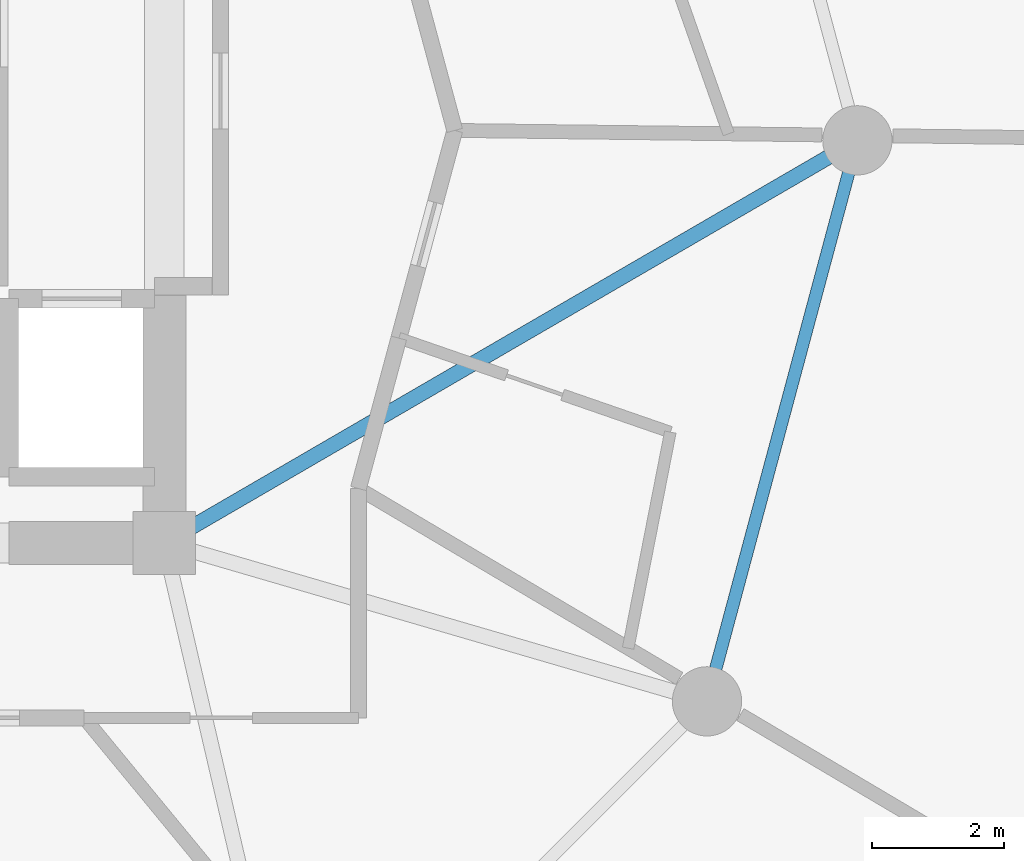
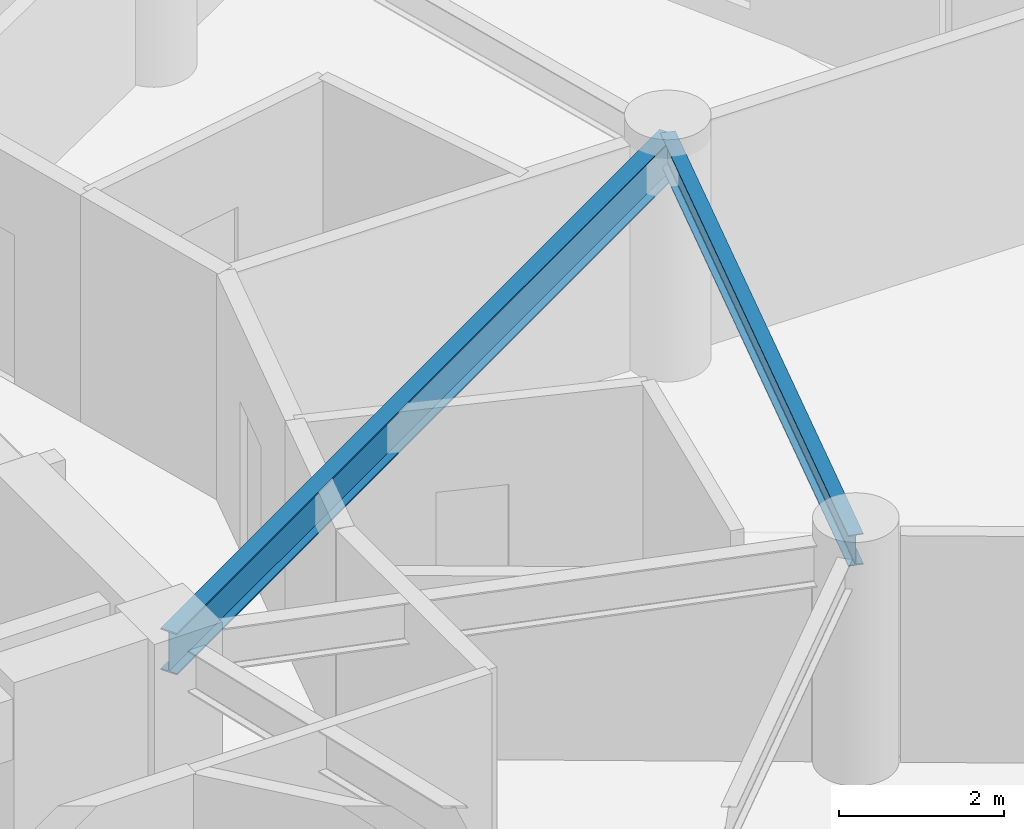
# One storey, part 7 of 20: 2 beams.
"""IFC4 building model written with IfcOpenShell, lengths in metres."""

from ifc_helpers import new_model, si_unit, direction, frame, origin, origin_2d, place, context, subcontext, project, spatial, i_section, extrude, material, material_profile, profile_set, type_object, element, save


model = new_model("IFC4")

# Units and contexts
model_context = context("Model", 3, precision=1e-05, world=origin(), true_north=direction((0.0, 1.0)))
body_context = subcontext(model_context, "Body", "Model", "MODEL_VIEW")
ifc_project = project(units=[si_unit("LENGTHUNIT", "METRE"), si_unit("AREAUNIT", "SQUARE_METRE"), si_unit("VOLUMEUNIT", "CUBIC_METRE"), si_unit("PLANEANGLEUNIT", "RADIAN"), si_unit("MASSUNIT", "GRAM", prefix="KILO")], contexts=[model_context])

# Site, building, storey
site_placement = place(None, origin())
site = spatial("IfcSite", under=ifc_project, at=site_placement, CompositionType="ELEMENT")
building_placement = place(site_placement, origin())
building = spatial("IfcBuilding", under=site, at=building_placement, Name="Solvirekh Grand Hotel", CompositionType="ELEMENT")
storey_placement = place(building_placement, frame((0.0, 0.0, 135.0)))
storey = spatial("IfcBuildingStorey", under=building, at=storey_placement, Name="L34", CompositionType="ELEMENT", Elevation=135.0)

# Beams
ifc_material = material(Name="Steel S355", Category="steel")
ifc_material_profile_1 = material_profile(ifc_material, i_section(OverallWidth=0.22802734375, OverallDepth=0.616943359375, WebThickness=0.012939453125, FlangeThickness=0.02001953125, FilletRadius=0.014892578125, at=origin_2d()), Name="W610X140")
ifc_profile_set_1 = profile_set([ifc_material_profile_1], Name="Steel S355")
beam_type_1 = type_object("IfcBeamType", Name="Beam_Radial_W610", PredefinedType="BEAM", material=ifc_profile_set_1)
beam_1_placement = place(storey_placement, frame((6.5, -6.10009765625, 3.041015625), z_axis=(0.864670076815, 0.50234018181, 0.0), x_axis=(-0.50234018181, 0.864670076815, 0.0)))
element("IfcBeam", 1, at=beam_1_placement, inside=storey, type_object=beam_type_1, Name="L34 radial floor beam R01", PredefinedType="BEAM", context=body_context, shape_type="SweptSolid", body=[
    extrude(i_section(OverallWidth=0.22802734375, OverallDepth=0.616943359375, WebThickness=0.012939453125, FlangeThickness=0.02001953125, FilletRadius=0.014892578125, at=origin_2d()), origin(), (0.0, 0.0, 1.0), 12.143310546875),
])
ifc_material_profile_2 = material_profile(ifc_material, i_section(OverallWidth=0.18994140625, OverallDepth=0.45703125, WebThickness=0.009033203125, FlangeThickness=0.013916015625, FilletRadius=0.012939453125, at=origin_2d()), Name="W460X74")
ifc_profile_set_2 = profile_set([ifc_material_profile_2], Name="Steel S355")
beam_type_2 = type_object("IfcBeamType", Name="Spandrel_Ring_W460", PredefinedType="SPANDREL", material=ifc_profile_set_2)
beam_2_placement = place(storey_placement, frame((14.721923828125, -8.5, 3.12109375), z_axis=(0.258872908946, 0.965911391906, 0.0), x_axis=(-0.965911391906, 0.258872908946, 0.0)))
element("IfcBeam", 2, at=beam_2_placement, inside=storey, type_object=beam_type_2, Name="L34 perimeter spandrel beam 12", PredefinedType="SPANDREL", context=body_context, shape_type="SweptSolid", body=[
    extrude(i_section(OverallWidth=0.18994140625, OverallDepth=0.45703125, WebThickness=0.009033203125, FlangeThickness=0.013916015625, FilletRadius=0.012939453125, at=origin_2d()), origin(), (0.0, 0.0, 1.0), 8.800048828125),
])

save(model, "model.ifc")
